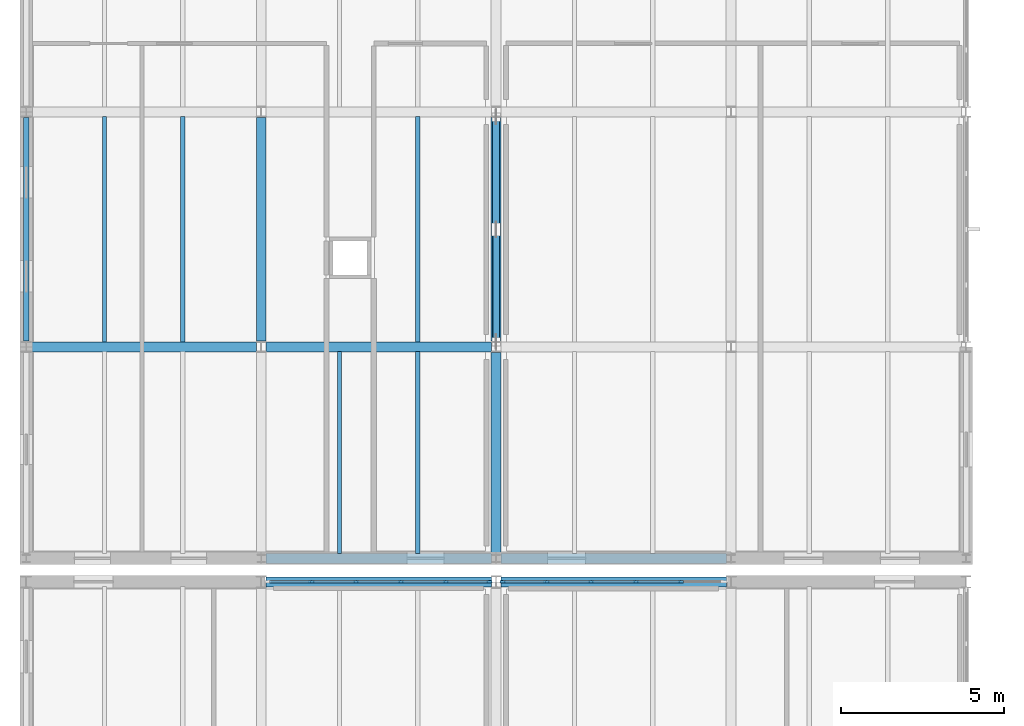
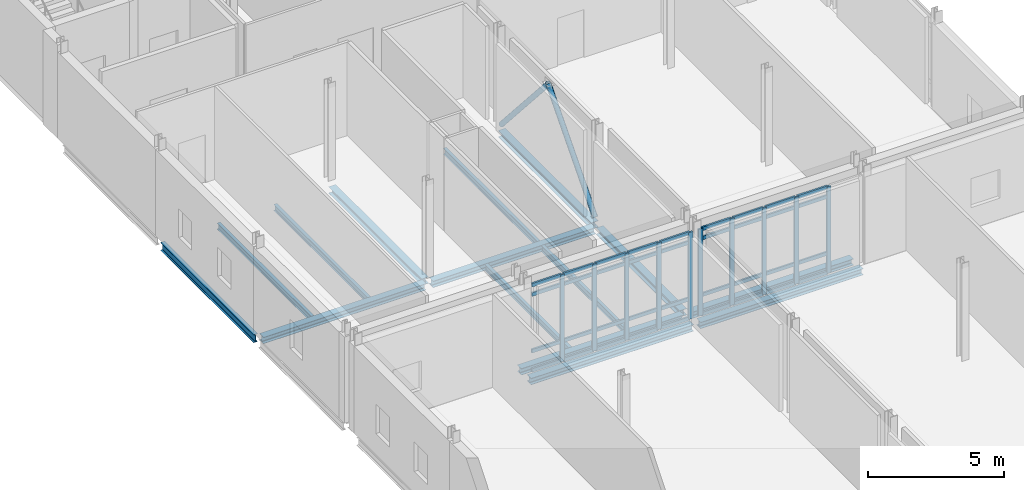
# One storey, part 20 of 72: 48 members, 15 beams, 2 elements without a shape of their own.
"""IFC4 building model written with IfcOpenShell, lengths in metres."""

import ifcopenshell
import ifcopenshell.guid

model = None  # the IFC model being written
_history = None  # IfcOwnerHistory: only IFC2X3 demands one
_inside = {}  # id of a spatial element -> (the spatial element, [elements in it])
_under = {}  # id of a project, library or spatial element -> (it, [spatial elements below it])
_declared = {}  # id of a project -> (the project, [libraries it declares])
_typed = {}  # id of a type object -> (the type object, [elements of that type])
_made_of = {}  # id of a material, layer set ... -> (it, [elements and type objects made of it])


def new_model(schema):
    """Start an empty IFC model of exactly this schema.

    Asked for "IFC4X3", IfcOpenShell would pick the latest addendum, in which some entities
    have other attributes; the version numbers below select the first issue.
    IFC2X3 requires an IfcOwnerHistory on every rooted entity: one is made here for all.
    """
    global model, _history
    if schema == "IFC4X3":
        model = ifcopenshell.file(schema_version=(4, 3, 0, 0))
    else:
        model = ifcopenshell.file(schema=schema)
    _inside.clear()
    _under.clear()
    _declared.clear()
    _typed.clear()
    _made_of.clear()
    _history = None
    if model.schema == "IFC2X3":
        org = make("IfcOrganization", Name="unknown")
        user = make(
            "IfcPersonAndOrganization",
            ThePerson=make("IfcPerson", FamilyName="unknown"),
            TheOrganization=org,
        )
        app = make(
            "IfcApplication",
            ApplicationDeveloper=org,
            Version="unknown",
            ApplicationFullName="unknown",
            ApplicationIdentifier="unknown",
        )
        _history = make(
            "IfcOwnerHistory",
            OwningUser=user,
            OwningApplication=app,
            ChangeAction="ADDED",
            CreationDate=0,
        )
    return model


def make(cls, **values):
    """One entity of the class cls with the attributes given. An attribute that is None is left unset."""
    return model.create_entity(
        cls, **{name: value for name, value in values.items() if value is not None}
    )


def rooted(cls, **values):
    """An entity with a GlobalId (a new one), such as an element, a storey or a relation."""
    return make(cls, GlobalId=ifcopenshell.guid.new(), OwnerHistory=_history, **values)


def si_unit(unit_type, name, prefix=None):
    """IfcSIUnit, for example si_unit("LENGTHUNIT", "METRE", prefix="MILLI")."""
    return make("IfcSIUnit", UnitType=unit_type, Prefix=prefix, Name=name)


def assignment(units):
    """IfcUnitAssignment: the units of a project."""
    return None if units is None else make("IfcUnitAssignment", Units=units)


def point(xyz):
    """IfcCartesianPoint."""
    return None if xyz is None else make("IfcCartesianPoint", Coordinates=xyz)


def direction(xyz):
    """IfcDirection."""
    return None if xyz is None else make("IfcDirection", DirectionRatios=xyz)


def frame(location, z_axis=None, x_axis=None):
    """IfcAxis2Placement3D, a coordinate frame: its origin and axes. An axis left out is left unset."""
    return make(
        "IfcAxis2Placement3D",
        Location=point(location),
        Axis=direction(z_axis),
        RefDirection=direction(x_axis),
    )


def frame_2d(location, x_axis=None):
    """IfcAxis2Placement2D, a coordinate frame in the plane: its origin and x axis."""
    return make(
        "IfcAxis2Placement2D", Location=point(location), RefDirection=direction(x_axis)
    )


def origin():
    """The frame at (0, 0, 0) with its axes left unset."""
    return frame((0.0, 0.0, 0.0))


def origin_2d():
    """The frame at (0, 0) in the plane with its x axis left unset."""
    return frame_2d((0.0, 0.0))


def place(relative_to, where):
    """IfcLocalPlacement: puts the frame where relative to a parent placement (None: the world)."""
    return make(
        "IfcLocalPlacement", PlacementRelTo=relative_to, RelativePlacement=where
    )


def context(
    kind, dimensions, precision=None, world=None, true_north=None, identifier=None
):
    """IfcGeometricRepresentationContext, for example the 3D "Model" context."""
    return make(
        "IfcGeometricRepresentationContext",
        ContextIdentifier=identifier,
        ContextType=kind,
        CoordinateSpaceDimension=dimensions,
        Precision=precision,
        WorldCoordinateSystem=world,
        TrueNorth=true_north,
    )


def subcontext(parent, identifier, kind, view, scale=None):
    """IfcGeometricRepresentationSubContext, for example "Body" below "Model"."""
    return make(
        "IfcGeometricRepresentationSubContext",
        ContextIdentifier=identifier,
        ContextType=kind,
        ParentContext=parent,
        TargetScale=scale,
        TargetView=view,
    )


def project(units=None, contexts=None):
    """IfcProject with its units and contexts."""
    return rooted(
        "IfcProject",
        Name="project",
        RepresentationContexts=contexts,
        UnitsInContext=assignment(units),
    )


def spatial(cls, under=None, at=None, **own):
    """A site, building, storey or space (cls), placed at a placement, below another one or the project."""
    s = rooted(cls, ObjectPlacement=at, **own)
    if under is not None:
        _under.setdefault(under.id(), (under, []))[1].append(s)
    return s


def profile(cls, at=None, kind="AREA", **sizes):
    """A parametric profile (cls). Its sizes go by their IFC names, for example OverallWidth=200.0."""
    return make(cls, ProfileType=kind, Position=at, **sizes)


def rectangle(**sizes):
    """IfcRectangleProfileDef."""
    return profile("IfcRectangleProfileDef", **sizes)


def hollow_circle(**sizes):
    """IfcCircleHollowProfileDef."""
    return profile("IfcCircleHollowProfileDef", **sizes)


def i_section(**sizes):
    """IfcIShapeProfileDef."""
    return profile("IfcIShapeProfileDef", **sizes)


def extrude(swept, where, along, depth):
    """IfcExtrudedAreaSolid: the profile swept, set in the frame where, extruded along a direction by depth."""
    return make(
        "IfcExtrudedAreaSolid",
        SweptArea=swept,
        Position=where,
        ExtrudedDirection=direction(along),
        Depth=depth,
    )


def shape(context_of_items, identifier, shape_type, items):
    """IfcShapeRepresentation: the items that make up one representation, for example the "Body"."""
    return make(
        "IfcShapeRepresentation",
        ContextOfItems=context_of_items,
        RepresentationIdentifier=identifier,
        RepresentationType=shape_type,
        Items=items,
    )


def material(Name=None, Category=None):
    """IfcMaterial."""
    return make("IfcMaterial", Name=Name, Category=Category)


def layer(
    of_material, thickness, ventilated=None, Name=None, Category=None, Priority=None
):
    """IfcMaterialLayer: one layer of a wall or slab, of a material (None: an air gap)."""
    return make(
        "IfcMaterialLayer",
        Material=of_material,
        LayerThickness=thickness,
        IsVentilated=ventilated,
        Name=Name,
        Category=Category,
        Priority=Priority,
    )


def layer_set(layers, Name=None):
    """IfcMaterialLayerSet."""
    return make("IfcMaterialLayerSet", MaterialLayers=layers, LayerSetName=Name)


def material_profile(
    of_material, cross_section, Name=None, Category=None, Priority=None
):
    """IfcMaterialProfile: a cross section and its material."""
    return make(
        "IfcMaterialProfile",
        Name=Name,
        Material=of_material,
        Profile=cross_section,
        Priority=Priority,
        Category=Category,
    )


def profile_set(profiles, Name=None, composite=None):
    """IfcMaterialProfileSet."""
    return make(
        "IfcMaterialProfileSet",
        Name=Name,
        MaterialProfiles=profiles,
        CompositeProfile=composite,
    )


def made_of(thing, what):
    """Note that an element or type object is made of a material, layer set ...; save() writes the relation."""
    if what is not None:
        _made_of.setdefault(what.id(), (what, []))[1].append(thing)
    return thing


def type_object(cls, material=None, **own):
    """A type object (cls), such as IfcWallType, which elements share."""
    return made_of(rooted(cls, **own), material)


def element(
    cls,
    number,
    at=None,
    inside=None,
    cuts=None,
    type_object=None,
    material=None,
    context=None,
    identifier="Body",
    shape_type=None,
    held_by="IfcProductDefinitionShape",
    body=None,
    shapes=None,
    **own,
):
    """One element of the class cls, such as IfcWall. Its Tag is "e" and its number.

    at: its placement. inside: the storey or other place that contains it. cuts: it is an
    opening in that element (IfcRelVoidsElement). A single representation is given by context,
    identifier, shape_type and body (its items); several are given by shapes. held_by: the class
    of the entity that holds the representations. save() writes the other relations.
    """
    e = rooted(cls, Tag="e%d" % number, ObjectPlacement=at, **own)
    if body is not None:
        shapes = [shape(context, identifier, shape_type, body)]
    if shapes is not None:
        e.Representation = make(held_by, Representations=shapes)
    if inside is not None:
        _inside.setdefault(inside.id(), (inside, []))[1].append(e)
    if cuts is not None:
        rooted(
            "IfcRelVoidsElement", RelatingBuildingElement=cuts, RelatedOpeningElement=e
        )
    if type_object is not None:
        _typed.setdefault(type_object.id(), (type_object, []))[1].append(e)
    return made_of(e, material)


def aggregate(whole, parts):
    """IfcRelAggregates: a whole, such as a stair, and the parts it consists of."""
    return rooted("IfcRelAggregates", RelatingObject=whole, RelatedObjects=parts)


def save(model, path):
    """Write the relations noted so far, then the file.

    IfcRelAggregates (storeys below a building ...), IfcRelContainedInSpatialStructure (elements
    in a storey), IfcRelDefinesByType, IfcRelAssociatesMaterial and IfcRelDeclares: one each for
    every whole, place, type object, material and project.
    """
    for whole, parts in _under.values():
        aggregate(whole, parts)
    for where, things in _inside.values():
        rooted(
            "IfcRelContainedInSpatialStructure",
            RelatedElements=things,
            RelatingStructure=where,
        )
    for kind, things in _typed.values():
        rooted("IfcRelDefinesByType", RelatedObjects=things, RelatingType=kind)
    for what, things in _made_of.values():
        rooted("IfcRelAssociatesMaterial", RelatedObjects=things, RelatingMaterial=what)
    for by, libraries in _declared.values():
        rooted("IfcRelDeclares", RelatingContext=by, RelatedDefinitions=libraries)
    model.write(path)


model = new_model("IFC4")

# Units and contexts
model_context = context("Model", 3, precision=1e-05, world=origin(), true_north=direction((0.0, 1.0)))
body_context = subcontext(model_context, "Body", "Model", "MODEL_VIEW")
ifc_project = project(units=[si_unit("LENGTHUNIT", "METRE"), si_unit("AREAUNIT", "SQUARE_METRE"), si_unit("VOLUMEUNIT", "CUBIC_METRE"), si_unit("PLANEANGLEUNIT", "RADIAN"), si_unit("MASSUNIT", "GRAM", prefix="KILO")], contexts=[model_context])

# Site, building, storey
site_placement = place(None, origin())
site = spatial("IfcSite", under=ifc_project, at=site_placement, CompositionType="ELEMENT")
building_placement = place(site_placement, origin())
building = spatial("IfcBuilding", under=site, at=building_placement, Name="Zarrinpeak Specialist Clinic", CompositionType="ELEMENT")
storey_placement = place(building_placement, frame((0.0, 0.0, 9.60009765625)))
storey = spatial("IfcBuildingStorey", under=building, at=storey_placement, Name="L02", CompositionType="ELEMENT", Elevation=9.60009765625)

# Beams
ifc_material_1 = material(Name="Steel S355", Category="steel")
ifc_material_profile_1 = material_profile(ifc_material_1, i_section(OverallWidth=0.300048828125, OverallDepth=0.2900390625, WebThickness=0.008544921875, FlangeThickness=0.013916015625, FilletRadius=0.027099609375, at=origin_2d()), Name="HEA 300")
ifc_profile_set_1 = profile_set([ifc_material_profile_1], Name="Steel S355")
beam_type_1 = type_object("IfcBeamType", Name="BM-HEA300", PredefinedType="BEAM", material=ifc_profile_set_1)
beam_1_placement = place(storey_placement, frame((7.347900390625, 50.39990234375, -0.360107421875), z_axis=(1.0, 0.0, 0.0), x_axis=(0.0, 1.0, 0.0)))
element("IfcBeam", 1, at=beam_1_placement, inside=storey, type_object=beam_type_1, Name="L02 Primary Floor Girder BM-L02-X1173", PredefinedType="BEAM", context=body_context, shape_type="SweptSolid", body=[
    extrude(i_section(OverallWidth=0.300048828125, OverallDepth=0.2900390625, WebThickness=0.008544921875, FlangeThickness=0.013916015625, FilletRadius=0.027099609375, at=origin_2d()), origin(), (0.0, 0.0, 1.0), 6.904052734375),
])
beam_2_placement = place(storey_placement, frame((14.548095703125, 50.39990234375, -0.360107421875), z_axis=(1.0, 0.0, 0.0), x_axis=(0.0, 1.0, 0.0)))
element("IfcBeam", 2, at=beam_2_placement, inside=storey, type_object=beam_type_1, Name="L02 Primary Floor Girder BM-L02-X1174", PredefinedType="BEAM", context=body_context, shape_type="SweptSolid", body=[
    extrude(i_section(OverallWidth=0.300048828125, OverallDepth=0.2900390625, WebThickness=0.008544921875, FlangeThickness=0.013916015625, FilletRadius=0.027099609375, at=origin_2d()), origin(), (0.0, 0.0, 1.0), 6.90380859375),
])
beam_3_placement = place(storey_placement, frame((7.347900390625, 51.1201171875, -0.360107421875), z_axis=(1.0, 0.0, 0.0), x_axis=(0.0, 1.0, 0.0)))
element("IfcBeam", 3, at=beam_3_placement, inside=storey, type_object=beam_type_1, Name="L02 Primary Floor Girder BM-L02-X1178", PredefinedType="BEAM", context=body_context, shape_type="SweptSolid", body=[
    extrude(i_section(OverallWidth=0.300048828125, OverallDepth=0.2900390625, WebThickness=0.008544921875, FlangeThickness=0.013916015625, FilletRadius=0.027099609375, at=origin_2d()), origin(), (0.0, 0.0, 1.0), 6.904052734375),
])
beam_4_placement = place(storey_placement, frame((14.548095703125, 51.1201171875, -0.360107421875), z_axis=(1.0, 0.0, 0.0), x_axis=(0.0, 1.0, 0.0)))
element("IfcBeam", 4, at=beam_4_placement, inside=storey, type_object=beam_type_1, Name="L02 Primary Floor Girder BM-L02-X1179", PredefinedType="BEAM", context=body_context, shape_type="SweptSolid", body=[
    extrude(i_section(OverallWidth=0.300048828125, OverallDepth=0.2900390625, WebThickness=0.008544921875, FlangeThickness=0.013916015625, FilletRadius=0.027099609375, at=origin_2d()), origin(), (0.0, 0.0, 1.0), 6.90380859375),
])
for number, where, z_axis, x_axis, name in (
    (5, (0.14794921875, 57.60009765625, -0.360107421875), (1.0, 0.0, 0.0), (0.0, 1.0, 0.0), "L02 Primary Floor Girder BM-L02-X1181"),
    (6, (7.347900390625, 57.60009765625, -0.360107421875), (1.0, 0.0, 0.0), (0.0, 1.0, 0.0), "L02 Primary Floor Girder BM-L02-X1182"),
):
    element("IfcBeam", number, at=place(storey_placement, frame(where, z_axis=z_axis, x_axis=x_axis)), inside=storey, type_object=beam_type_1, Name=name, PredefinedType="BEAM", context=body_context, shape_type="SweptSolid", body=[
        extrude(i_section(OverallWidth=0.300048828125, OverallDepth=0.2900390625, WebThickness=0.008544921875, FlangeThickness=0.013916015625, FilletRadius=0.027099609375, at=origin_2d()), origin(), (0.0, 0.0, 1.0), 6.904052734375),
    ])
beam_5_placement = place(storey_placement, frame((7.199951171875, 57.778076171875, -0.360107421875), z_axis=(0.0, 1.0, 0.0), x_axis=(-1.0, 0.0, 0.0)))
element("IfcBeam", 7, at=beam_5_placement, inside=storey, type_object=beam_type_1, Name="L02 Primary Beam BM-L02-Y1238", PredefinedType="BEAM", context=body_context, shape_type="SweptSolid", body=[
    extrude(i_section(OverallWidth=0.300048828125, OverallDepth=0.2900390625, WebThickness=0.008544921875, FlangeThickness=0.013916015625, FilletRadius=0.027099609375, at=origin_2d()), origin(), (0.0, 0.0, 1.0), 6.843994140625),
])
beam_6_placement = place(storey_placement, frame((14.39990234375, 51.278076171875, -0.360107421875), z_axis=(0.0, 1.0, 0.0), x_axis=(-1.0, 0.0, 0.0)))
element("IfcBeam", 8, at=beam_6_placement, inside=storey, type_object=beam_type_1, Name="L02 Primary Beam BM-L02-Y1249", PredefinedType="BEAM", context=body_context, shape_type="SweptSolid", body=[
    extrude(i_section(OverallWidth=0.300048828125, OverallDepth=0.2900390625, WebThickness=0.008544921875, FlangeThickness=0.013916015625, FilletRadius=0.027099609375, at=origin_2d()), origin(), (0.0, 0.0, 1.0), 6.14404296875),
])
beam_7_placement = place(storey_placement, frame((14.39990234375, 57.778076171875, -0.360107421875), z_axis=(0.0, 1.0, 0.0), x_axis=(-1.0, 0.0, 0.0)))
element("IfcBeam", 9, at=beam_7_placement, inside=storey, type_object=beam_type_1, Name="L02 Primary Beam BM-L02-Y1250", PredefinedType="BEAM", context=body_context, shape_type="SweptSolid", body=[
    extrude(i_section(OverallWidth=0.300048828125, OverallDepth=0.2900390625, WebThickness=0.008544921875, FlangeThickness=0.013916015625, FilletRadius=0.027099609375, at=origin_2d()), origin(), (0.0, 0.0, 1.0), 6.843994140625),
])
ifc_material_profile_2 = material_profile(ifc_material_1, i_section(OverallWidth=0.135009765625, OverallDepth=0.27001953125, WebThickness=0.006591796875, FlangeThickness=0.01025390625, FilletRadius=0.014892578125, at=origin_2d()), Name="IPE 270")
ifc_profile_set_2 = profile_set([ifc_material_profile_2], Name="Steel S355")
beam_type_2 = type_object("IfcBeamType", Name="BM-JST270", PredefinedType="JOIST", material=ifc_profile_set_2)
for number, where, z_axis, x_axis, name in (
    (10, (2.39990234375, 57.748046875, -0.35009765625), (0.0, 1.0, 0.0), (-1.0, 0.0, 0.0), "L02 Composite Floor Joist JST-L02-1425"),
    (11, (4.800048828125, 57.748046875, -0.35009765625), (0.0, 1.0, 0.0), (-1.0, 0.0, 0.0), "L02 Composite Floor Joist JST-L02-1426"),
):
    element("IfcBeam", number, at=place(storey_placement, frame(where, z_axis=z_axis, x_axis=x_axis)), inside=storey, type_object=beam_type_2, Name=name, PredefinedType="JOIST", context=body_context, shape_type="SweptSolid", body=[
        extrude(i_section(OverallWidth=0.135009765625, OverallDepth=0.27001953125, WebThickness=0.006591796875, FlangeThickness=0.01025390625, FilletRadius=0.014892578125, at=origin_2d()), origin(), (0.0, 0.0, 1.0), 6.904052734375),
    ])
for number, where, z_axis, x_axis, name in (
    (12, (9.60009765625, 51.26806640625, -0.35009765625), (0.0, 1.0, 0.0), (-1.0, 0.0, 0.0), "L02 Composite Floor Joist JST-L02-1429"),
    (13, (12.0, 51.26806640625, -0.35009765625), (0.0, 1.0, 0.0), (-1.0, 0.0, 0.0), "L02 Composite Floor Joist JST-L02-1430"),
):
    element("IfcBeam", number, at=place(storey_placement, frame(where, z_axis=z_axis, x_axis=x_axis)), inside=storey, type_object=beam_type_2, Name=name, PredefinedType="JOIST", context=body_context, shape_type="SweptSolid", body=[
        extrude(i_section(OverallWidth=0.135009765625, OverallDepth=0.27001953125, WebThickness=0.006591796875, FlangeThickness=0.01025390625, FilletRadius=0.014892578125, at=origin_2d()), origin(), (0.0, 0.0, 1.0), 6.183837890625),
    ])
beam_8_placement = place(storey_placement, frame((12.0, 57.748046875, -0.35009765625), z_axis=(0.0, 1.0, 0.0), x_axis=(-1.0, 0.0, 0.0)))
element("IfcBeam", 14, at=beam_8_placement, inside=storey, type_object=beam_type_2, Name="L02 Composite Floor Joist JST-L02-1431", PredefinedType="JOIST", context=body_context, shape_type="SweptSolid", body=[
    extrude(i_section(OverallWidth=0.135009765625, OverallDepth=0.27001953125, WebThickness=0.006591796875, FlangeThickness=0.01025390625, FilletRadius=0.014892578125, at=origin_2d()), origin(), (0.0, 0.0, 1.0), 6.904052734375),
])
ifc_material_profile_3 = material_profile(ifc_material_1, i_section(OverallWidth=0.169921875, OverallDepth=0.360107421875, WebThickness=0.008056640625, FlangeThickness=0.0126953125, FilletRadius=0.01806640625, at=origin_2d()), Name="IPE 360")
ifc_profile_set_3 = profile_set([ifc_material_profile_3], Name="Steel S355")
beam_type_3 = type_object("IfcBeamType", Name="BM-SP360", PredefinedType="SPANDREL", material=ifc_profile_set_3)
beam_9_placement = place(storey_placement, frame((0.0, 57.778076171875, -0.39501953125), z_axis=(0.0, 1.0, 0.0), x_axis=(-1.0, 0.0, 0.0)))
element("IfcBeam", 15, at=beam_9_placement, inside=storey, type_object=beam_type_3, Name="L02 Perimeter Spandrel Beam BM-L02-Y1228", PredefinedType="SPANDREL", context=body_context, shape_type="SweptSolid", body=[
    extrude(i_section(OverallWidth=0.169921875, OverallDepth=0.360107421875, WebThickness=0.008056640625, FlangeThickness=0.0126953125, FilletRadius=0.01806640625, at=origin_2d()), origin(), (0.0, 0.0, 1.0), 6.843994140625),
])

# Curtain wall, members
ifc_material_2 = material(Name="Anodised Aluminium Alloy 6063-T6", Category="aluminium")
ifc_layer = layer(ifc_material_2, 0.1650390625)
ifc_layer_set = layer_set([ifc_layer], Name="Anodised Aluminium Alloy 6063-T6")
curtain_wall_type = type_object("IfcCurtainWallType", Name="CW-CLINIC", PredefinedType="NOTDEFINED", material=ifc_layer_set)
curtain_wall_1_placement = place(storey_placement, origin())
curtain_wall_1 = element("IfcCurtainWall", 16, at=curtain_wall_1_placement, inside=storey, type_object=curtain_wall_type, Name="L02 V1 Unitised Curtain Wall CW-L02-V1-013", PredefinedType="NOTDEFINED")
ifc_material_profile_4 = material_profile(ifc_material_2, rectangle(XDim=0.074951171875, YDim=0.179931640625, at=origin_2d()), Name="ALU 75x180")
ifc_profile_set_4 = profile_set([ifc_material_profile_4], Name="Anodised Aluminium Alloy 6063-T6")
member_type_1 = type_object("IfcMemberType", Name="CWM-75", PredefinedType="MULLION", material=ifc_profile_set_4)
member_1_placement = place(storey_placement, frame((14.1875, 50.39990234375, 0.0), z_axis=(0.0, 0.0, 1.0), x_axis=(0.0, -1.0, 0.0)))
member_1 = element("IfcMember", 17, at=member_1_placement, type_object=member_type_1, Name="CW-03 mullion 1", PredefinedType="MULLION", context=body_context, shape_type="SweptSolid", body=[
    extrude(rectangle(XDim=0.074951171875, YDim=0.179931640625, at=origin_2d()), origin(), (0.0, 0.0, 1.0), 3.89501953125),
])
member_2_placement = place(storey_placement, frame((12.85498046875, 50.39990234375, 0.0), z_axis=(0.0, 0.0, 1.0), x_axis=(0.0, -1.0, 0.0)))
member_2 = element("IfcMember", 18, at=member_2_placement, type_object=member_type_1, Name="CW-03 mullion 2", PredefinedType="MULLION", context=body_context, shape_type="SweptSolid", body=[
    extrude(rectangle(XDim=0.074951171875, YDim=0.179931640625, at=origin_2d()), origin(), (0.0, 0.0, 1.0), 3.89501953125),
])
member_3_placement = place(storey_placement, frame((11.485107421875, 50.39990234375, 0.0), z_axis=(0.0, 0.0, 1.0), x_axis=(0.0, -1.0, 0.0)))
member_3 = element("IfcMember", 19, at=member_3_placement, type_object=member_type_1, Name="CW-03 mullion 3", PredefinedType="MULLION", context=body_context, shape_type="SweptSolid", body=[
    extrude(rectangle(XDim=0.074951171875, YDim=0.179931640625, at=origin_2d()), origin(), (0.0, 0.0, 1.0), 3.89501953125),
])
member_4_placement = place(storey_placement, frame((10.114990234375, 50.39990234375, 0.0), z_axis=(0.0, 0.0, 1.0), x_axis=(0.0, -1.0, 0.0)))
member_4 = element("IfcMember", 20, at=member_4_placement, type_object=member_type_1, Name="CW-03 mullion 4", PredefinedType="MULLION", context=body_context, shape_type="SweptSolid", body=[
    extrude(rectangle(XDim=0.074951171875, YDim=0.179931640625, at=origin_2d()), origin(), (0.0, 0.0, 1.0), 3.89501953125),
])
member_5_placement = place(storey_placement, frame((8.7451171875, 50.39990234375, 0.0), z_axis=(0.0, 0.0, 1.0), x_axis=(0.0, -1.0, 0.0)))
member_5 = element("IfcMember", 21, at=member_5_placement, type_object=member_type_1, Name="CW-03 mullion 5", PredefinedType="MULLION", context=body_context, shape_type="SweptSolid", body=[
    extrude(rectangle(XDim=0.074951171875, YDim=0.179931640625, at=origin_2d()), origin(), (0.0, 0.0, 1.0), 3.89501953125),
])

curtain_wall_2_placement = place(storey_placement, origin())
curtain_wall_2 = element("IfcCurtainWall", 22, at=curtain_wall_2_placement, inside=storey, type_object=curtain_wall_type, Name="L02 V1 Unitised Curtain Wall CW-L02-V1-014", PredefinedType="NOTDEFINED")
member_6_placement = place(storey_placement, frame((20.054931640625, 50.39990234375, 0.0), z_axis=(0.0, 0.0, 1.0), x_axis=(0.0, -1.0, 0.0)))
member_6 = element("IfcMember", 23, at=member_6_placement, type_object=member_type_1, Name="CW-03 mullion 2", PredefinedType="MULLION", context=body_context, shape_type="SweptSolid", body=[
    extrude(rectangle(XDim=0.074951171875, YDim=0.179931640625, at=origin_2d()), origin(), (0.0, 0.0, 1.0), 3.89501953125),
])
member_7_placement = place(storey_placement, frame((18.68505859375, 50.39990234375, 0.0), z_axis=(0.0, 0.0, 1.0), x_axis=(0.0, -1.0, 0.0)))
member_7 = element("IfcMember", 24, at=member_7_placement, type_object=member_type_1, Name="CW-03 mullion 3", PredefinedType="MULLION", context=body_context, shape_type="SweptSolid", body=[
    extrude(rectangle(XDim=0.074951171875, YDim=0.179931640625, at=origin_2d()), origin(), (0.0, 0.0, 1.0), 3.89501953125),
])
member_8_placement = place(storey_placement, frame((17.31494140625, 50.39990234375, 0.0), z_axis=(0.0, 0.0, 1.0), x_axis=(0.0, -1.0, 0.0)))
member_8 = element("IfcMember", 25, at=member_8_placement, type_object=member_type_1, Name="CW-03 mullion 4", PredefinedType="MULLION", context=body_context, shape_type="SweptSolid", body=[
    extrude(rectangle(XDim=0.074951171875, YDim=0.179931640625, at=origin_2d()), origin(), (0.0, 0.0, 1.0), 3.89501953125),
])
member_9_placement = place(storey_placement, frame((15.945068359375, 50.39990234375, 0.0), z_axis=(0.0, 0.0, 1.0), x_axis=(0.0, -1.0, 0.0)))
member_9 = element("IfcMember", 26, at=member_9_placement, type_object=member_type_1, Name="CW-03 mullion 5", PredefinedType="MULLION", context=body_context, shape_type="SweptSolid", body=[
    extrude(rectangle(XDim=0.074951171875, YDim=0.179931640625, at=origin_2d()), origin(), (0.0, 0.0, 1.0), 3.89501953125),
])
member_10_placement = place(storey_placement, frame((14.612548828125, 50.39990234375, 0.0), z_axis=(0.0, 0.0, 1.0), x_axis=(0.0, -1.0, 0.0)))
member_10 = element("IfcMember", 27, at=member_10_placement, type_object=member_type_1, Name="CW-03 mullion 6", PredefinedType="MULLION", context=body_context, shape_type="SweptSolid", body=[
    extrude(rectangle(XDim=0.074951171875, YDim=0.179931640625, at=origin_2d()), origin(), (0.0, 0.0, 1.0), 3.89501953125),
])

# Member
ifc_material_profile_5 = material_profile(ifc_material_2, rectangle(XDim=0.074951171875, YDim=0.159912109375, at=origin_2d()), Name="ALU 75x160")
ifc_profile_set_5 = profile_set([ifc_material_profile_5], Name="Anodised Aluminium Alloy 6063-T6")
member_type_2 = type_object("IfcMemberType", Name="CWT-75", PredefinedType="USERDEFINED", material=ifc_profile_set_5)
member_11_placement = place(storey_placement, frame((14.14990234375, 50.39990234375, 0.037353515625), z_axis=(-1.0, 0.0, 0.0), x_axis=(0.0, -1.0, 0.0)))
member_11 = element("IfcMember", 28, at=member_11_placement, type_object=member_type_2, Name="CW-03 transom 1.1", ObjectType="TRANSOM", PredefinedType="USERDEFINED", context=body_context, shape_type="SweptSolid", body=[
    extrude(rectangle(XDim=0.074951171875, YDim=0.159912109375, at=origin_2d()), origin(), (0.0, 0.0, 1.0), 1.25732421875),
])

member_12_placement = place(storey_placement, frame((14.14990234375, 50.39990234375, 0.89990234375), z_axis=(-1.0, 0.0, 0.0), x_axis=(0.0, -1.0, 0.0)))
member_12 = element("IfcMember", 29, at=member_12_placement, type_object=member_type_2, Name="CW-03 transom 1.2", ObjectType="TRANSOM", PredefinedType="USERDEFINED", context=body_context, shape_type="SweptSolid", body=[
    extrude(rectangle(XDim=0.074951171875, YDim=0.159912109375, at=origin_2d()), origin(), (0.0, 0.0, 1.0), 1.25732421875),
])

member_13_placement = place(storey_placement, frame((14.14990234375, 50.39990234375, 3.44482421875), z_axis=(-1.0, 0.0, 0.0), x_axis=(0.0, -1.0, 0.0)))
member_13 = element("IfcMember", 30, at=member_13_placement, type_object=member_type_2, Name="CW-03 transom 1.3", ObjectType="TRANSOM", PredefinedType="USERDEFINED", context=body_context, shape_type="SweptSolid", body=[
    extrude(rectangle(XDim=0.074951171875, YDim=0.159912109375, at=origin_2d()), origin(), (0.0, 0.0, 1.0), 1.25732421875),
])

member_14_placement = place(storey_placement, frame((14.14990234375, 50.39990234375, 3.857421875), z_axis=(-1.0, 0.0, 0.0), x_axis=(0.0, -1.0, 0.0)))
member_14 = element("IfcMember", 31, at=member_14_placement, type_object=member_type_2, Name="CW-03 transom 1.4", ObjectType="TRANSOM", PredefinedType="USERDEFINED", context=body_context, shape_type="SweptSolid", body=[
    extrude(rectangle(XDim=0.074951171875, YDim=0.159912109375, at=origin_2d()), origin(), (0.0, 0.0, 1.0), 1.25732421875),
])

member_15_placement = place(storey_placement, frame((12.8173828125, 50.39990234375, 0.037353515625), z_axis=(-1.0, 0.0, 0.0), x_axis=(0.0, -1.0, 0.0)))
member_15 = element("IfcMember", 32, at=member_15_placement, type_object=member_type_2, Name="CW-03 transom 2.1", ObjectType="TRANSOM", PredefinedType="USERDEFINED", context=body_context, shape_type="SweptSolid", body=[
    extrude(rectangle(XDim=0.074951171875, YDim=0.159912109375, at=origin_2d()), origin(), (0.0, 0.0, 1.0), 1.294921875),
])

member_16_placement = place(storey_placement, frame((12.8173828125, 50.39990234375, 0.89990234375), z_axis=(-1.0, 0.0, 0.0), x_axis=(0.0, -1.0, 0.0)))
member_16 = element("IfcMember", 33, at=member_16_placement, type_object=member_type_2, Name="CW-03 transom 2.2", ObjectType="TRANSOM", PredefinedType="USERDEFINED", context=body_context, shape_type="SweptSolid", body=[
    extrude(rectangle(XDim=0.074951171875, YDim=0.159912109375, at=origin_2d()), origin(), (0.0, 0.0, 1.0), 1.294921875),
])

member_17_placement = place(storey_placement, frame((12.8173828125, 50.39990234375, 3.44482421875), z_axis=(-1.0, 0.0, 0.0), x_axis=(0.0, -1.0, 0.0)))
member_17 = element("IfcMember", 34, at=member_17_placement, type_object=member_type_2, Name="CW-03 transom 2.3", ObjectType="TRANSOM", PredefinedType="USERDEFINED", context=body_context, shape_type="SweptSolid", body=[
    extrude(rectangle(XDim=0.074951171875, YDim=0.159912109375, at=origin_2d()), origin(), (0.0, 0.0, 1.0), 1.294921875),
])

member_18_placement = place(storey_placement, frame((12.8173828125, 50.39990234375, 3.857421875), z_axis=(-1.0, 0.0, 0.0), x_axis=(0.0, -1.0, 0.0)))
member_18 = element("IfcMember", 35, at=member_18_placement, type_object=member_type_2, Name="CW-03 transom 2.4", ObjectType="TRANSOM", PredefinedType="USERDEFINED", context=body_context, shape_type="SweptSolid", body=[
    extrude(rectangle(XDim=0.074951171875, YDim=0.159912109375, at=origin_2d()), origin(), (0.0, 0.0, 1.0), 1.294921875),
])

member_19_placement = place(storey_placement, frame((11.447509765625, 50.39990234375, 0.037353515625), z_axis=(-1.0, 0.0, 0.0), x_axis=(0.0, -1.0, 0.0)))
member_19 = element("IfcMember", 36, at=member_19_placement, type_object=member_type_2, Name="CW-03 transom 3.1", ObjectType="TRANSOM", PredefinedType="USERDEFINED", context=body_context, shape_type="SweptSolid", body=[
    extrude(rectangle(XDim=0.074951171875, YDim=0.159912109375, at=origin_2d()), origin(), (0.0, 0.0, 1.0), 1.294921875),
])

member_20_placement = place(storey_placement, frame((11.447509765625, 50.39990234375, 0.89990234375), z_axis=(-1.0, 0.0, 0.0), x_axis=(0.0, -1.0, 0.0)))
member_20 = element("IfcMember", 37, at=member_20_placement, type_object=member_type_2, Name="CW-03 transom 3.2", ObjectType="TRANSOM", PredefinedType="USERDEFINED", context=body_context, shape_type="SweptSolid", body=[
    extrude(rectangle(XDim=0.074951171875, YDim=0.159912109375, at=origin_2d()), origin(), (0.0, 0.0, 1.0), 1.294921875),
])

member_21_placement = place(storey_placement, frame((11.447509765625, 50.39990234375, 3.44482421875), z_axis=(-1.0, 0.0, 0.0), x_axis=(0.0, -1.0, 0.0)))
member_21 = element("IfcMember", 38, at=member_21_placement, type_object=member_type_2, Name="CW-03 transom 3.3", ObjectType="TRANSOM", PredefinedType="USERDEFINED", context=body_context, shape_type="SweptSolid", body=[
    extrude(rectangle(XDim=0.074951171875, YDim=0.159912109375, at=origin_2d()), origin(), (0.0, 0.0, 1.0), 1.294921875),
])

member_22_placement = place(storey_placement, frame((11.447509765625, 50.39990234375, 3.857421875), z_axis=(-1.0, 0.0, 0.0), x_axis=(0.0, -1.0, 0.0)))
member_22 = element("IfcMember", 39, at=member_22_placement, type_object=member_type_2, Name="CW-03 transom 3.4", ObjectType="TRANSOM", PredefinedType="USERDEFINED", context=body_context, shape_type="SweptSolid", body=[
    extrude(rectangle(XDim=0.074951171875, YDim=0.159912109375, at=origin_2d()), origin(), (0.0, 0.0, 1.0), 1.294921875),
])

member_23_placement = place(storey_placement, frame((10.077392578125, 50.39990234375, 0.037353515625), z_axis=(-1.0, 0.0, 0.0), x_axis=(0.0, -1.0, 0.0)))
member_23 = element("IfcMember", 40, at=member_23_placement, type_object=member_type_2, Name="CW-03 transom 4.1", ObjectType="TRANSOM", PredefinedType="USERDEFINED", context=body_context, shape_type="SweptSolid", body=[
    extrude(rectangle(XDim=0.074951171875, YDim=0.159912109375, at=origin_2d()), origin(), (0.0, 0.0, 1.0), 1.294921875),
])

member_24_placement = place(storey_placement, frame((10.077392578125, 50.39990234375, 0.89990234375), z_axis=(-1.0, 0.0, 0.0), x_axis=(0.0, -1.0, 0.0)))
member_24 = element("IfcMember", 41, at=member_24_placement, type_object=member_type_2, Name="CW-03 transom 4.2", ObjectType="TRANSOM", PredefinedType="USERDEFINED", context=body_context, shape_type="SweptSolid", body=[
    extrude(rectangle(XDim=0.074951171875, YDim=0.159912109375, at=origin_2d()), origin(), (0.0, 0.0, 1.0), 1.294921875),
])

member_25_placement = place(storey_placement, frame((10.077392578125, 50.39990234375, 3.44482421875), z_axis=(-1.0, 0.0, 0.0), x_axis=(0.0, -1.0, 0.0)))
member_25 = element("IfcMember", 42, at=member_25_placement, type_object=member_type_2, Name="CW-03 transom 4.3", ObjectType="TRANSOM", PredefinedType="USERDEFINED", context=body_context, shape_type="SweptSolid", body=[
    extrude(rectangle(XDim=0.074951171875, YDim=0.159912109375, at=origin_2d()), origin(), (0.0, 0.0, 1.0), 1.294921875),
])

member_26_placement = place(storey_placement, frame((10.077392578125, 50.39990234375, 3.857421875), z_axis=(-1.0, 0.0, 0.0), x_axis=(0.0, -1.0, 0.0)))
member_26 = element("IfcMember", 43, at=member_26_placement, type_object=member_type_2, Name="CW-03 transom 4.4", ObjectType="TRANSOM", PredefinedType="USERDEFINED", context=body_context, shape_type="SweptSolid", body=[
    extrude(rectangle(XDim=0.074951171875, YDim=0.159912109375, at=origin_2d()), origin(), (0.0, 0.0, 1.0), 1.294921875),
])

member_27_placement = place(storey_placement, frame((8.70751953125, 50.39990234375, 0.037353515625), z_axis=(-1.0, 0.0, 0.0), x_axis=(0.0, -1.0, 0.0)))
member_27 = element("IfcMember", 44, at=member_27_placement, type_object=member_type_2, Name="CW-03 transom 5.1", ObjectType="TRANSOM", PredefinedType="USERDEFINED", context=body_context, shape_type="SweptSolid", body=[
    extrude(rectangle(XDim=0.074951171875, YDim=0.159912109375, at=origin_2d()), origin(), (0.0, 0.0, 1.0), 1.257568359375),
])

member_28_placement = place(storey_placement, frame((8.70751953125, 50.39990234375, 0.89990234375), z_axis=(-1.0, 0.0, 0.0), x_axis=(0.0, -1.0, 0.0)))
member_28 = element("IfcMember", 45, at=member_28_placement, type_object=member_type_2, Name="CW-03 transom 5.2", ObjectType="TRANSOM", PredefinedType="USERDEFINED", context=body_context, shape_type="SweptSolid", body=[
    extrude(rectangle(XDim=0.074951171875, YDim=0.159912109375, at=origin_2d()), origin(), (0.0, 0.0, 1.0), 1.257568359375),
])

member_29_placement = place(storey_placement, frame((8.70751953125, 50.39990234375, 3.44482421875), z_axis=(-1.0, 0.0, 0.0), x_axis=(0.0, -1.0, 0.0)))
member_29 = element("IfcMember", 46, at=member_29_placement, type_object=member_type_2, Name="CW-03 transom 5.3", ObjectType="TRANSOM", PredefinedType="USERDEFINED", context=body_context, shape_type="SweptSolid", body=[
    extrude(rectangle(XDim=0.074951171875, YDim=0.159912109375, at=origin_2d()), origin(), (0.0, 0.0, 1.0), 1.257568359375),
])

member_30_placement = place(storey_placement, frame((8.70751953125, 50.39990234375, 3.857421875), z_axis=(-1.0, 0.0, 0.0), x_axis=(0.0, -1.0, 0.0)))
member_30 = element("IfcMember", 47, at=member_30_placement, type_object=member_type_2, Name="CW-03 transom 5.4", ObjectType="TRANSOM", PredefinedType="USERDEFINED", context=body_context, shape_type="SweptSolid", body=[
    extrude(rectangle(XDim=0.074951171875, YDim=0.159912109375, at=origin_2d()), origin(), (0.0, 0.0, 1.0), 1.257568359375),
])

aggregate(curtain_wall_1, [member_1, member_2, member_3, member_4, member_5, member_11, member_12, member_13, member_14, member_15, member_16, member_17, member_18, member_19, member_20, member_21, member_22, member_23, member_24, member_25, member_26, member_27, member_28, member_29, member_30])

member_31_placement = place(storey_placement, frame((20.017578125, 50.39990234375, 0.037353515625), z_axis=(-1.0, 0.0, 0.0), x_axis=(0.0, -1.0, 0.0)))
member_31 = element("IfcMember", 48, at=member_31_placement, type_object=member_type_2, Name="CW-03 transom 2.1", ObjectType="TRANSOM", PredefinedType="USERDEFINED", context=body_context, shape_type="SweptSolid", body=[
    extrude(rectangle(XDim=0.074951171875, YDim=0.159912109375, at=origin_2d()), origin(), (0.0, 0.0, 1.0), 1.295166015625),
])

member_32_placement = place(storey_placement, frame((20.017578125, 50.39990234375, 0.89990234375), z_axis=(-1.0, 0.0, 0.0), x_axis=(0.0, -1.0, 0.0)))
member_32 = element("IfcMember", 49, at=member_32_placement, type_object=member_type_2, Name="CW-03 transom 2.2", ObjectType="TRANSOM", PredefinedType="USERDEFINED", context=body_context, shape_type="SweptSolid", body=[
    extrude(rectangle(XDim=0.074951171875, YDim=0.159912109375, at=origin_2d()), origin(), (0.0, 0.0, 1.0), 1.295166015625),
])

member_33_placement = place(storey_placement, frame((20.017578125, 50.39990234375, 3.44482421875), z_axis=(-1.0, 0.0, 0.0), x_axis=(0.0, -1.0, 0.0)))
member_33 = element("IfcMember", 50, at=member_33_placement, type_object=member_type_2, Name="CW-03 transom 2.3", ObjectType="TRANSOM", PredefinedType="USERDEFINED", context=body_context, shape_type="SweptSolid", body=[
    extrude(rectangle(XDim=0.074951171875, YDim=0.159912109375, at=origin_2d()), origin(), (0.0, 0.0, 1.0), 1.295166015625),
])

member_34_placement = place(storey_placement, frame((20.017578125, 50.39990234375, 3.857421875), z_axis=(-1.0, 0.0, 0.0), x_axis=(0.0, -1.0, 0.0)))
member_34 = element("IfcMember", 51, at=member_34_placement, type_object=member_type_2, Name="CW-03 transom 2.4", ObjectType="TRANSOM", PredefinedType="USERDEFINED", context=body_context, shape_type="SweptSolid", body=[
    extrude(rectangle(XDim=0.074951171875, YDim=0.159912109375, at=origin_2d()), origin(), (0.0, 0.0, 1.0), 1.295166015625),
])

member_35_placement = place(storey_placement, frame((18.6474609375, 50.39990234375, 0.037353515625), z_axis=(-1.0, 0.0, 0.0), x_axis=(0.0, -1.0, 0.0)))
member_35 = element("IfcMember", 52, at=member_35_placement, type_object=member_type_2, Name="CW-03 transom 3.1", ObjectType="TRANSOM", PredefinedType="USERDEFINED", context=body_context, shape_type="SweptSolid", body=[
    extrude(rectangle(XDim=0.074951171875, YDim=0.159912109375, at=origin_2d()), origin(), (0.0, 0.0, 1.0), 1.294921875),
])

member_36_placement = place(storey_placement, frame((18.6474609375, 50.39990234375, 0.89990234375), z_axis=(-1.0, 0.0, 0.0), x_axis=(0.0, -1.0, 0.0)))
member_36 = element("IfcMember", 53, at=member_36_placement, type_object=member_type_2, Name="CW-03 transom 3.2", ObjectType="TRANSOM", PredefinedType="USERDEFINED", context=body_context, shape_type="SweptSolid", body=[
    extrude(rectangle(XDim=0.074951171875, YDim=0.159912109375, at=origin_2d()), origin(), (0.0, 0.0, 1.0), 1.294921875),
])

member_37_placement = place(storey_placement, frame((18.6474609375, 50.39990234375, 3.44482421875), z_axis=(-1.0, 0.0, 0.0), x_axis=(0.0, -1.0, 0.0)))
member_37 = element("IfcMember", 54, at=member_37_placement, type_object=member_type_2, Name="CW-03 transom 3.3", ObjectType="TRANSOM", PredefinedType="USERDEFINED", context=body_context, shape_type="SweptSolid", body=[
    extrude(rectangle(XDim=0.074951171875, YDim=0.159912109375, at=origin_2d()), origin(), (0.0, 0.0, 1.0), 1.294921875),
])

member_38_placement = place(storey_placement, frame((18.6474609375, 50.39990234375, 3.857421875), z_axis=(-1.0, 0.0, 0.0), x_axis=(0.0, -1.0, 0.0)))
member_38 = element("IfcMember", 55, at=member_38_placement, type_object=member_type_2, Name="CW-03 transom 3.4", ObjectType="TRANSOM", PredefinedType="USERDEFINED", context=body_context, shape_type="SweptSolid", body=[
    extrude(rectangle(XDim=0.074951171875, YDim=0.159912109375, at=origin_2d()), origin(), (0.0, 0.0, 1.0), 1.294921875),
])

member_39_placement = place(storey_placement, frame((17.277587890625, 50.39990234375, 0.037353515625), z_axis=(-1.0, 0.0, 0.0), x_axis=(0.0, -1.0, 0.0)))
member_39 = element("IfcMember", 56, at=member_39_placement, type_object=member_type_2, Name="CW-03 transom 4.1", ObjectType="TRANSOM", PredefinedType="USERDEFINED", context=body_context, shape_type="SweptSolid", body=[
    extrude(rectangle(XDim=0.074951171875, YDim=0.159912109375, at=origin_2d()), origin(), (0.0, 0.0, 1.0), 1.295166015625),
])

member_40_placement = place(storey_placement, frame((17.277587890625, 50.39990234375, 0.89990234375), z_axis=(-1.0, 0.0, 0.0), x_axis=(0.0, -1.0, 0.0)))
member_40 = element("IfcMember", 57, at=member_40_placement, type_object=member_type_2, Name="CW-03 transom 4.2", ObjectType="TRANSOM", PredefinedType="USERDEFINED", context=body_context, shape_type="SweptSolid", body=[
    extrude(rectangle(XDim=0.074951171875, YDim=0.159912109375, at=origin_2d()), origin(), (0.0, 0.0, 1.0), 1.295166015625),
])

member_41_placement = place(storey_placement, frame((17.277587890625, 50.39990234375, 3.44482421875), z_axis=(-1.0, 0.0, 0.0), x_axis=(0.0, -1.0, 0.0)))
member_41 = element("IfcMember", 58, at=member_41_placement, type_object=member_type_2, Name="CW-03 transom 4.3", ObjectType="TRANSOM", PredefinedType="USERDEFINED", context=body_context, shape_type="SweptSolid", body=[
    extrude(rectangle(XDim=0.074951171875, YDim=0.159912109375, at=origin_2d()), origin(), (0.0, 0.0, 1.0), 1.295166015625),
])

member_42_placement = place(storey_placement, frame((17.277587890625, 50.39990234375, 3.857421875), z_axis=(-1.0, 0.0, 0.0), x_axis=(0.0, -1.0, 0.0)))
member_42 = element("IfcMember", 59, at=member_42_placement, type_object=member_type_2, Name="CW-03 transom 4.4", ObjectType="TRANSOM", PredefinedType="USERDEFINED", context=body_context, shape_type="SweptSolid", body=[
    extrude(rectangle(XDim=0.074951171875, YDim=0.159912109375, at=origin_2d()), origin(), (0.0, 0.0, 1.0), 1.295166015625),
])

member_43_placement = place(storey_placement, frame((15.907470703125, 50.39990234375, 0.037353515625), z_axis=(-1.0, 0.0, 0.0), x_axis=(0.0, -1.0, 0.0)))
member_43 = element("IfcMember", 60, at=member_43_placement, type_object=member_type_2, Name="CW-03 transom 5.1", ObjectType="TRANSOM", PredefinedType="USERDEFINED", context=body_context, shape_type="SweptSolid", body=[
    extrude(rectangle(XDim=0.074951171875, YDim=0.159912109375, at=origin_2d()), origin(), (0.0, 0.0, 1.0), 1.257568359375),
])

member_44_placement = place(storey_placement, frame((15.907470703125, 50.39990234375, 0.89990234375), z_axis=(-1.0, 0.0, 0.0), x_axis=(0.0, -1.0, 0.0)))
member_44 = element("IfcMember", 61, at=member_44_placement, type_object=member_type_2, Name="CW-03 transom 5.2", ObjectType="TRANSOM", PredefinedType="USERDEFINED", context=body_context, shape_type="SweptSolid", body=[
    extrude(rectangle(XDim=0.074951171875, YDim=0.159912109375, at=origin_2d()), origin(), (0.0, 0.0, 1.0), 1.257568359375),
])

member_45_placement = place(storey_placement, frame((15.907470703125, 50.39990234375, 3.44482421875), z_axis=(-1.0, 0.0, 0.0), x_axis=(0.0, -1.0, 0.0)))
member_45 = element("IfcMember", 62, at=member_45_placement, type_object=member_type_2, Name="CW-03 transom 5.3", ObjectType="TRANSOM", PredefinedType="USERDEFINED", context=body_context, shape_type="SweptSolid", body=[
    extrude(rectangle(XDim=0.074951171875, YDim=0.159912109375, at=origin_2d()), origin(), (0.0, 0.0, 1.0), 1.257568359375),
])

member_46_placement = place(storey_placement, frame((15.907470703125, 50.39990234375, 3.857421875), z_axis=(-1.0, 0.0, 0.0), x_axis=(0.0, -1.0, 0.0)))
member_46 = element("IfcMember", 63, at=member_46_placement, type_object=member_type_2, Name="CW-03 transom 5.4", ObjectType="TRANSOM", PredefinedType="USERDEFINED", context=body_context, shape_type="SweptSolid", body=[
    extrude(rectangle(XDim=0.074951171875, YDim=0.159912109375, at=origin_2d()), origin(), (0.0, 0.0, 1.0), 1.257568359375),
])

aggregate(curtain_wall_2, [member_6, member_7, member_8, member_9, member_10, member_31, member_32, member_33, member_34, member_35, member_36, member_37, member_38, member_39, member_40, member_41, member_42, member_43, member_44, member_45, member_46])

# Members
ifc_material_profile_6 = material_profile(ifc_material_1, hollow_circle(Radius=0.109619140625, WallThickness=0.010009765625, at=origin_2d()), Name="CHS 219.1x10.0")
ifc_profile_set_6 = profile_set([ifc_material_profile_6], Name="Steel S355")
member_type_3 = type_object("IfcMemberType", Name="MB-BR219", PredefinedType="BRACE", material=ifc_profile_set_6)
for number, where, z_axis, x_axis, name in (
    (64, (14.39990234375, 57.760009765625, 0.0048828125), (0.0, 0.661008531114, 0.750378385746), (-1.0, 0.0, 0.0), "V5 L02 Seismic Concentric Brace CBF-039"),
    (65, (14.39990234375, 64.639892578125, 0.0048828125), (0.0, -0.661008531114, 0.750378385746), (1.0, 0.0, 0.0), "V5 L02 Seismic Concentric Brace CBF-040"),
):
    element("IfcMember", number, at=place(storey_placement, frame(where, z_axis=z_axis, x_axis=x_axis)), inside=storey, type_object=member_type_3, Name=name, PredefinedType="BRACE", context=body_context, shape_type="SweptSolid", body=[
        extrude(hollow_circle(Radius=0.109619140625, WallThickness=0.010009765625, at=origin_2d()), origin(), (0.0, 0.0, 1.0), 5.2041015625),
    ])

save(model, "model.ifc")
